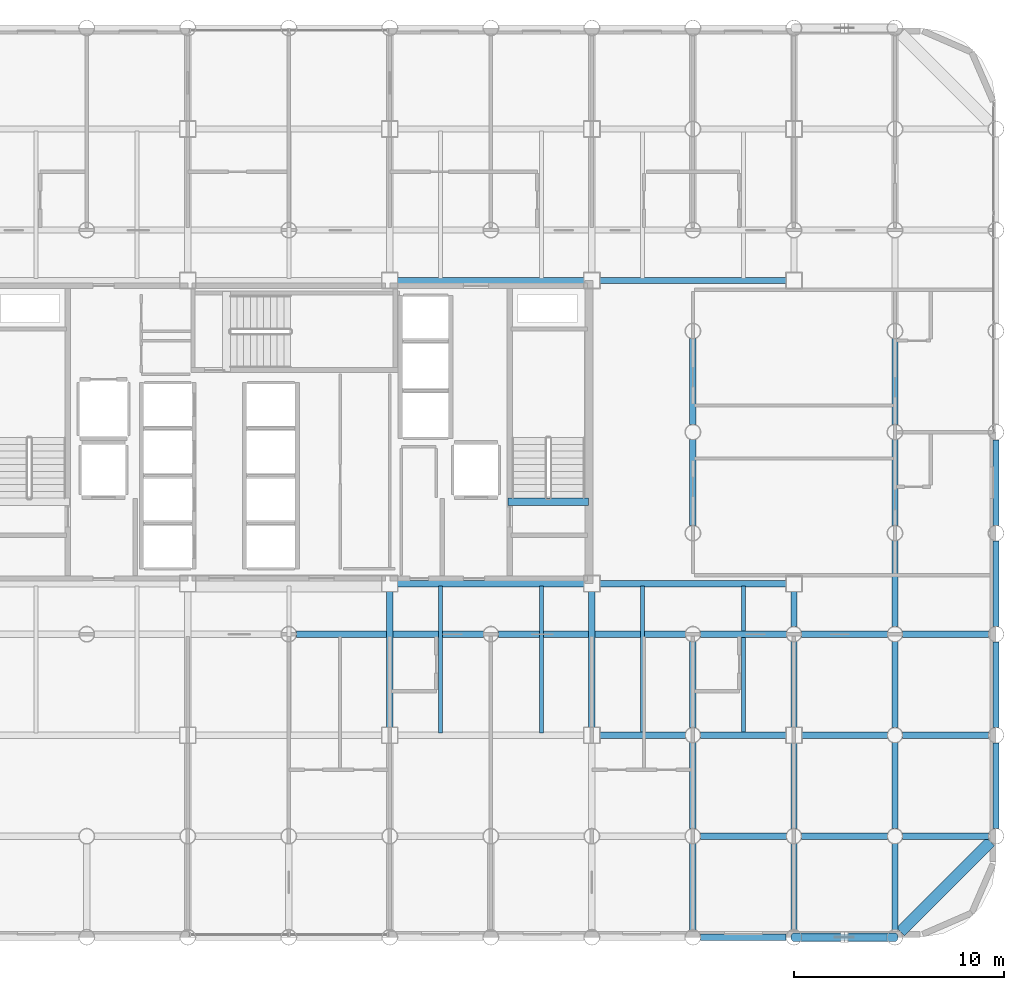
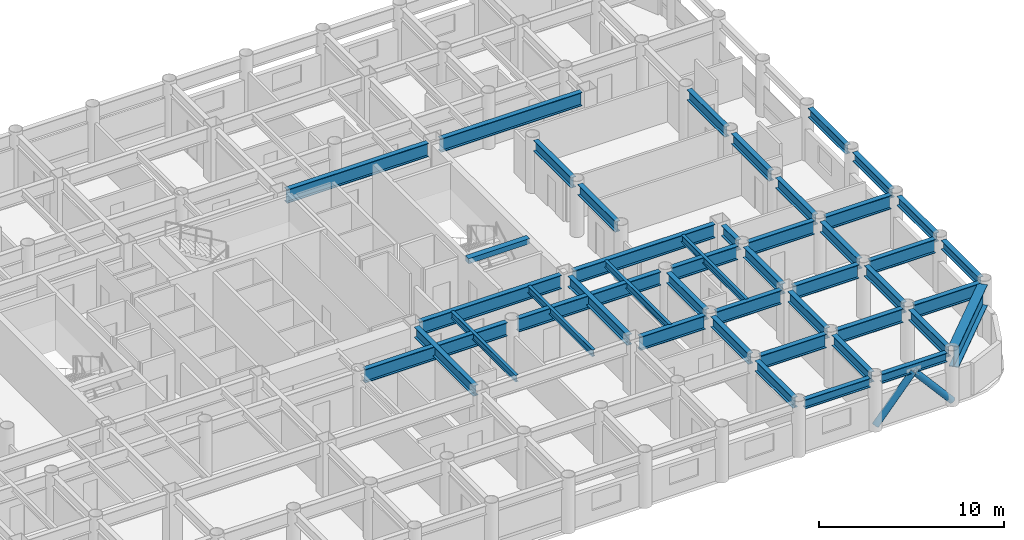
# One storey, part 7 of 20: 45 beams, 2 members.
"""IFC4 building model written with IfcOpenShell, lengths in metres."""

from ifc_helpers import new_model, si_unit, direction, frame, origin, origin_2d, place, context, subcontext, project, spatial, rectangle, hollow_circle, i_section, extrude, material, material_profile, profile_set, type_object, element, save


model = new_model("IFC4")

# Units and contexts
model_context = context("Model", 3, precision=1e-05, world=origin(), true_north=direction((0.0, 1.0)))
body_context = subcontext(model_context, "Body", "Model", "MODEL_VIEW")
ifc_project = project(units=[si_unit("LENGTHUNIT", "METRE"), si_unit("AREAUNIT", "SQUARE_METRE"), si_unit("VOLUMEUNIT", "CUBIC_METRE"), si_unit("PLANEANGLEUNIT", "RADIAN"), si_unit("MASSUNIT", "GRAM", prefix="KILO")], contexts=[model_context])

# Site, building, storey
site_placement = place(None, origin())
site = spatial("IfcSite", under=ifc_project, at=site_placement, CompositionType="ELEMENT")
building_placement = place(site_placement, origin())
building = spatial("IfcBuilding", under=site, at=building_placement, Name="Kallvorn Hotel Tower", CompositionType="ELEMENT")
storey_placement = place(building_placement, frame((0.0, 0.0, 74.39990234375)))
storey = spatial("IfcBuildingStorey", under=building, at=storey_placement, Name="L17", CompositionType="ELEMENT", Elevation=74.39990234375)

# Beams
ifc_material_1 = material(Name="Structural steel S355JR", Category="steel")
ifc_material_profile_1 = material_profile(ifc_material_1, i_section(OverallWidth=0.300048828125, OverallDepth=0.60009765625, WebThickness=0.015380859375, FlangeThickness=0.030029296875, at=origin_2d()), Name="HE 600 B")
ifc_profile_set_1 = profile_set([ifc_material_profile_1], Name="Structural steel S355JR")
beam_type_1 = type_object("IfcBeamType", Name="BM_HE600B", PredefinedType="SPANDREL", material=ifc_profile_set_1)
for number, where, z_axis, x_axis, name in (
    (1, (19.571044921875, -24.0, 3.22021484375), (1.0, 0.0, 0.0), (0.0, 1.0, 0.0), "L18 Perimeter Spandrel 160"),
    (2, (24.37109375, -24.0, 3.22021484375), (1.0, 0.0, 0.0), (0.0, 1.0, 0.0), "L18 Perimeter Spandrel 161"),
):
    element("IfcBeam", number, at=place(storey_placement, frame(where, z_axis=z_axis, x_axis=x_axis)), inside=storey, type_object=beam_type_1, Name=name, PredefinedType="SPANDREL", context=body_context, shape_type="SweptSolid", body=[
        extrude(i_section(OverallWidth=0.300048828125, OverallDepth=0.60009765625, WebThickness=0.015380859375, FlangeThickness=0.030029296875, at=origin_2d()), origin(), (0.0, 0.0, 1.0), 4.057861328125),
    ])
for number, where, z_axis, x_axis, name in (
    (3, (33.60009765625, -18.8291015625, 3.22021484375), (0.0, 1.0, 0.0), (-1.0, 0.0, 0.0), "L18 Perimeter Spandrel 182"),
    (4, (33.60009765625, -14.029052734375, 3.22021484375), (0.0, 1.0, 0.0), (-1.0, 0.0, 0.0), "L18 Perimeter Spandrel 183"),
    (5, (33.60009765625, -9.22900390625, 3.22021484375), (0.0, 1.0, 0.0), (-1.0, 0.0, 0.0), "L18 Perimeter Spandrel 184"),
):
    element("IfcBeam", number, at=place(storey_placement, frame(where, z_axis=z_axis, x_axis=x_axis)), inside=storey, type_object=beam_type_1, Name=name, PredefinedType="SPANDREL", context=body_context, shape_type="SweptSolid", body=[
        extrude(i_section(OverallWidth=0.300048828125, OverallDepth=0.60009765625, WebThickness=0.015380859375, FlangeThickness=0.030029296875, at=origin_2d()), origin(), (0.0, 0.0, 1.0), 4.05810546875),
    ])
beam_1_placement = place(storey_placement, frame((33.60009765625, -4.428955078125, 3.22021484375), z_axis=(0.0, 1.0, 0.0), x_axis=(-1.0, 0.0, 0.0)))
element("IfcBeam", 6, at=beam_1_placement, inside=storey, type_object=beam_type_1, Name="L18 Perimeter Spandrel 185", PredefinedType="SPANDREL", context=body_context, shape_type="SweptSolid", body=[
    extrude(i_section(OverallWidth=0.300048828125, OverallDepth=0.60009765625, WebThickness=0.015380859375, FlangeThickness=0.030029296875, at=origin_2d()), origin(), (0.0, 0.0, 1.0), 4.057861328125),
])
ifc_material_2 = material(Name="Structural steel S355JR", Category="steel")
ifc_material_profile_2 = material_profile(ifc_material_2, i_section(OverallWidth=0.300048828125, OverallDepth=0.699951171875, WebThickness=0.01708984375, FlangeThickness=0.031982421875, at=origin_2d()), Name="HE 700 B")
ifc_profile_set_2 = profile_set([ifc_material_profile_2], Name="Structural steel S355JR")
beam_type_2 = type_object("IfcBeamType", Name="BM_HE700B", PredefinedType="BEAM", material=ifc_profile_set_2)
for number, where, z_axis, x_axis, name in (
    (7, (4.800048828125, -14.02490234375, 3.170166015625), (0.0, 1.0, 0.0), (-1.0, 0.0, 0.0), "L18 Primary Y-Girder 115"),
    (8, (14.39990234375, -14.02490234375, 3.170166015625), (0.0, 1.0, 0.0), (-1.0, 0.0, 0.0), "L18 Primary Y-Girder 123"),
):
    element("IfcBeam", number, at=place(storey_placement, frame(where, z_axis=z_axis, x_axis=x_axis)), inside=storey, type_object=beam_type_2, Name=name, PredefinedType="BEAM", context=body_context, shape_type="SweptSolid", body=[
        extrude(i_section(OverallWidth=0.300048828125, OverallDepth=0.699951171875, WebThickness=0.01708984375, FlangeThickness=0.031982421875, at=origin_2d()), origin(), (0.0, 0.0, 1.0), 6.449951171875),
    ])
beam_2_placement = place(storey_placement, frame((19.199951171875, -23.64404296875, 3.170166015625), z_axis=(0.0, 1.0, 0.0), x_axis=(-1.0, 0.0, 0.0)))
element("IfcBeam", 9, at=beam_2_placement, inside=storey, type_object=beam_type_2, Name="L18 Primary Y-Girder 126", PredefinedType="BEAM", context=body_context, shape_type="SweptSolid", body=[
    extrude(i_section(OverallWidth=0.300048828125, OverallDepth=0.699951171875, WebThickness=0.01708984375, FlangeThickness=0.031982421875, at=origin_2d()), origin(), (0.0, 0.0, 1.0), 4.088134765625),
])
for number, where, z_axis, x_axis, name in (
    (10, (19.199951171875, -18.843994140625, 3.170166015625), (0.0, 1.0, 0.0), (-1.0, 0.0, 0.0), "L18 Primary Y-Girder 127"),
    (11, (19.199951171875, -14.0439453125, 3.170166015625), (0.0, 1.0, 0.0), (-1.0, 0.0, 0.0), "L18 Primary Y-Girder 128"),
):
    element("IfcBeam", number, at=place(storey_placement, frame(where, z_axis=z_axis, x_axis=x_axis)), inside=storey, type_object=beam_type_2, Name=name, PredefinedType="BEAM", context=body_context, shape_type="SweptSolid", body=[
        extrude(i_section(OverallWidth=0.300048828125, OverallDepth=0.699951171875, WebThickness=0.01708984375, FlangeThickness=0.031982421875, at=origin_2d()), origin(), (0.0, 0.0, 1.0), 4.087890625),
    ])
for number, where, z_axis, x_axis, name in (
    (12, (19.199951171875, -4.444091796875, 3.170166015625), (0.0, 1.0, 0.0), (-1.0, 0.0, 0.0), "L18 Primary Y-Girder 130"),
    (13, (19.199951171875, 0.35595703125, 3.170166015625), (0.0, 1.0, 0.0), (-1.0, 0.0, 0.0), "L18 Primary Y-Girder 131"),
    (14, (24.0, -23.64404296875, 3.170166015625), (0.0, 1.0, 0.0), (-1.0, 0.0, 0.0), "L18 Primary Y-Girder 135"),
):
    element("IfcBeam", number, at=place(storey_placement, frame(where, z_axis=z_axis, x_axis=x_axis)), inside=storey, type_object=beam_type_2, Name=name, PredefinedType="BEAM", context=body_context, shape_type="SweptSolid", body=[
        extrude(i_section(OverallWidth=0.300048828125, OverallDepth=0.699951171875, WebThickness=0.01708984375, FlangeThickness=0.031982421875, at=origin_2d()), origin(), (0.0, 0.0, 1.0), 4.088134765625),
    ])
beam_3_placement = place(storey_placement, frame((24.0, -18.843994140625, 3.170166015625), z_axis=(0.0, 1.0, 0.0), x_axis=(-1.0, 0.0, 0.0)))
element("IfcBeam", 15, at=beam_3_placement, inside=storey, type_object=beam_type_2, Name="L18 Primary Y-Girder 136", PredefinedType="BEAM", context=body_context, shape_type="SweptSolid", body=[
    extrude(i_section(OverallWidth=0.300048828125, OverallDepth=0.699951171875, WebThickness=0.01708984375, FlangeThickness=0.031982421875, at=origin_2d()), origin(), (0.0, 0.0, 1.0), 4.069091796875),
])
beam_4_placement = place(storey_placement, frame((24.0, -14.02490234375, 3.170166015625), z_axis=(0.0, 1.0, 0.0), x_axis=(-1.0, 0.0, 0.0)))
element("IfcBeam", 16, at=beam_4_placement, inside=storey, type_object=beam_type_2, Name="L18 Primary Y-Girder 137", PredefinedType="BEAM", context=body_context, shape_type="SweptSolid", body=[
    extrude(i_section(OverallWidth=0.300048828125, OverallDepth=0.699951171875, WebThickness=0.01708984375, FlangeThickness=0.031982421875, at=origin_2d()), origin(), (0.0, 0.0, 1.0), 4.06884765625),
])
beam_5_placement = place(storey_placement, frame((24.0, -9.243896484375, 3.170166015625), z_axis=(0.0, 1.0, 0.0), x_axis=(-1.0, 0.0, 0.0)))
element("IfcBeam", 17, at=beam_5_placement, inside=storey, type_object=beam_type_2, Name="L18 Primary Y-Girder 138", PredefinedType="BEAM", context=body_context, shape_type="SweptSolid", body=[
    extrude(i_section(OverallWidth=0.300048828125, OverallDepth=0.699951171875, WebThickness=0.01708984375, FlangeThickness=0.031982421875, at=origin_2d()), origin(), (0.0, 0.0, 1.0), 1.6689453125),
])
beam_6_placement = place(storey_placement, frame((28.800048828125, -23.64404296875, 3.170166015625), z_axis=(0.0, 1.0, 0.0), x_axis=(-1.0, 0.0, 0.0)))
element("IfcBeam", 18, at=beam_6_placement, inside=storey, type_object=beam_type_2, Name="L18 Primary Y-Girder 142", PredefinedType="BEAM", context=body_context, shape_type="SweptSolid", body=[
    extrude(i_section(OverallWidth=0.300048828125, OverallDepth=0.699951171875, WebThickness=0.01708984375, FlangeThickness=0.031982421875, at=origin_2d()), origin(), (0.0, 0.0, 1.0), 4.088134765625),
])
for number, where, z_axis, x_axis, name in (
    (19, (28.800048828125, -18.843994140625, 3.170166015625), (0.0, 1.0, 0.0), (-1.0, 0.0, 0.0), "L18 Primary Y-Girder 143"),
    (20, (28.800048828125, -14.0439453125, 3.170166015625), (0.0, 1.0, 0.0), (-1.0, 0.0, 0.0), "L18 Primary Y-Girder 144"),
    (21, (28.800048828125, -9.243896484375, 3.170166015625), (0.0, 1.0, 0.0), (-1.0, 0.0, 0.0), "L18 Primary Y-Girder 145"),
):
    element("IfcBeam", number, at=place(storey_placement, frame(where, z_axis=z_axis, x_axis=x_axis)), inside=storey, type_object=beam_type_2, Name=name, PredefinedType="BEAM", context=body_context, shape_type="SweptSolid", body=[
        extrude(i_section(OverallWidth=0.300048828125, OverallDepth=0.699951171875, WebThickness=0.01708984375, FlangeThickness=0.031982421875, at=origin_2d()), origin(), (0.0, 0.0, 1.0), 4.087890625),
    ])
for number, where, z_axis, x_axis, name in (
    (22, (28.800048828125, -4.444091796875, 3.170166015625), (0.0, 1.0, 0.0), (-1.0, 0.0, 0.0), "L18 Primary Y-Girder 146"),
    (23, (28.800048828125, 0.35595703125, 3.170166015625), (0.0, 1.0, 0.0), (-1.0, 0.0, 0.0), "L18 Primary Y-Girder 147"),
):
    element("IfcBeam", number, at=place(storey_placement, frame(where, z_axis=z_axis, x_axis=x_axis)), inside=storey, type_object=beam_type_2, Name=name, PredefinedType="BEAM", context=body_context, shape_type="SweptSolid", body=[
        extrude(i_section(OverallWidth=0.300048828125, OverallDepth=0.699951171875, WebThickness=0.01708984375, FlangeThickness=0.031982421875, at=origin_2d()), origin(), (0.0, 0.0, 1.0), 4.088134765625),
    ])
ifc_material_3 = material(Name="Structural steel S355JR", Category="steel")
ifc_material_profile_3 = material_profile(ifc_material_3, i_section(OverallWidth=0.300048828125, OverallDepth=0.89990234375, WebThickness=0.0185546875, FlangeThickness=0.034912109375, at=origin_2d()), Name="HE 900 B")
ifc_profile_set_3 = profile_set([ifc_material_profile_3], Name="Structural steel S355JR")
beam_type_3 = type_object("IfcBeamType", Name="BM_HE900B", PredefinedType="BEAM", material=ifc_profile_set_3)
for number, where, z_axis, x_axis, name in (
    (24, (19.555908203125, -19.199951171875, 3.070068359375), (1.0, 0.0, 0.0), (0.0, 1.0, 0.0), "L18 Primary X-Girder 11"),
    (25, (24.35595703125, -19.199951171875, 3.070068359375), (1.0, 0.0, 0.0), (0.0, 1.0, 0.0), "L18 Primary X-Girder 12"),
):
    element("IfcBeam", number, at=place(storey_placement, frame(where, z_axis=z_axis, x_axis=x_axis)), inside=storey, type_object=beam_type_3, Name=name, PredefinedType="BEAM", context=body_context, shape_type="SweptSolid", body=[
        extrude(i_section(OverallWidth=0.300048828125, OverallDepth=0.89990234375, WebThickness=0.0185546875, FlangeThickness=0.034912109375, at=origin_2d()), origin(), (0.0, 0.0, 1.0), 4.088134765625),
    ])
beam_7_placement = place(storey_placement, frame((29.156005859375, -19.199951171875, 3.070068359375), z_axis=(1.0, 0.0, 0.0), x_axis=(0.0, 1.0, 0.0)))
element("IfcBeam", 26, at=beam_7_placement, inside=storey, type_object=beam_type_3, Name="L18 Primary X-Girder 13", PredefinedType="BEAM", context=body_context, shape_type="SweptSolid", body=[
    extrude(i_section(OverallWidth=0.300048828125, OverallDepth=0.89990234375, WebThickness=0.0185546875, FlangeThickness=0.034912109375, at=origin_2d()), origin(), (0.0, 0.0, 1.0), 4.087890625),
])
for number, where, z_axis, x_axis, name in (
    (27, (14.77490234375, -14.39990234375, 3.070068359375), (1.0, 0.0, 0.0), (0.0, 1.0, 0.0), "L18 Primary X-Girder 20"),
    (28, (19.555908203125, -14.39990234375, 3.070068359375), (1.0, 0.0, 0.0), (0.0, 1.0, 0.0), "L18 Primary X-Girder 21"),
    (29, (24.375, -14.39990234375, 3.070068359375), (1.0, 0.0, 0.0), (0.0, 1.0, 0.0), "L18 Primary X-Girder 22"),
):
    element("IfcBeam", number, at=place(storey_placement, frame(where, z_axis=z_axis, x_axis=x_axis)), inside=storey, type_object=beam_type_3, Name=name, PredefinedType="BEAM", context=body_context, shape_type="SweptSolid", body=[
        extrude(i_section(OverallWidth=0.300048828125, OverallDepth=0.89990234375, WebThickness=0.0185546875, FlangeThickness=0.034912109375, at=origin_2d()), origin(), (0.0, 0.0, 1.0), 4.069091796875),
    ])
beam_8_placement = place(storey_placement, frame((29.156005859375, -14.39990234375, 3.070068359375), z_axis=(1.0, 0.0, 0.0), x_axis=(0.0, 1.0, 0.0)))
element("IfcBeam", 30, at=beam_8_placement, inside=storey, type_object=beam_type_3, Name="L18 Primary X-Girder 23", PredefinedType="BEAM", context=body_context, shape_type="SweptSolid", body=[
    extrude(i_section(OverallWidth=0.300048828125, OverallDepth=0.89990234375, WebThickness=0.0185546875, FlangeThickness=0.034912109375, at=origin_2d()), origin(), (0.0, 0.0, 1.0), 4.087890625),
])
for number, where, z_axis, x_axis, name in (
    (31, (0.35595703125, -9.60009765625, 3.070068359375), (1.0, 0.0, 0.0), (0.0, 1.0, 0.0), "L18 Primary X-Girder 28"),
    (32, (9.9560546875, -9.60009765625, 3.070068359375), (1.0, 0.0, 0.0), (0.0, 1.0, 0.0), "L18 Primary X-Girder 29"),
):
    element("IfcBeam", number, at=place(storey_placement, frame(where, z_axis=z_axis, x_axis=x_axis)), inside=storey, type_object=beam_type_3, Name=name, PredefinedType="BEAM", context=body_context, shape_type="SweptSolid", body=[
        extrude(i_section(OverallWidth=0.300048828125, OverallDepth=0.89990234375, WebThickness=0.0185546875, FlangeThickness=0.034912109375, at=origin_2d()), origin(), (0.0, 0.0, 1.0), 8.887939453125),
    ])
for number, where, z_axis, x_axis, name in (
    (33, (19.555908203125, -9.60009765625, 3.070068359375), (1.0, 0.0, 0.0), (0.0, 1.0, 0.0), "L18 Primary X-Girder 30"),
    (34, (24.35595703125, -9.60009765625, 3.070068359375), (1.0, 0.0, 0.0), (0.0, 1.0, 0.0), "L18 Primary X-Girder 31"),
):
    element("IfcBeam", number, at=place(storey_placement, frame(where, z_axis=z_axis, x_axis=x_axis)), inside=storey, type_object=beam_type_3, Name=name, PredefinedType="BEAM", context=body_context, shape_type="SweptSolid", body=[
        extrude(i_section(OverallWidth=0.300048828125, OverallDepth=0.89990234375, WebThickness=0.0185546875, FlangeThickness=0.034912109375, at=origin_2d()), origin(), (0.0, 0.0, 1.0), 4.088134765625),
    ])
beam_9_placement = place(storey_placement, frame((29.156005859375, -9.60009765625, 3.070068359375), z_axis=(1.0, 0.0, 0.0), x_axis=(0.0, 1.0, 0.0)))
element("IfcBeam", 35, at=beam_9_placement, inside=storey, type_object=beam_type_3, Name="L18 Primary X-Girder 32", PredefinedType="BEAM", context=body_context, shape_type="SweptSolid", body=[
    extrude(i_section(OverallWidth=0.300048828125, OverallDepth=0.89990234375, WebThickness=0.0185546875, FlangeThickness=0.034912109375, at=origin_2d()), origin(), (0.0, 0.0, 1.0), 4.087890625),
])
beam_10_placement = place(storey_placement, frame((5.175048828125, -7.199951171875, 3.070068359375), z_axis=(1.0, 0.0, 0.0), x_axis=(0.0, 1.0, 0.0)))
element("IfcBeam", 36, at=beam_10_placement, inside=storey, type_object=beam_type_3, Name="L18 Primary X-Girder 35", PredefinedType="BEAM", context=body_context, shape_type="SweptSolid", body=[
    extrude(i_section(OverallWidth=0.300048828125, OverallDepth=0.89990234375, WebThickness=0.0185546875, FlangeThickness=0.034912109375, at=origin_2d()), origin(), (0.0, 0.0, 1.0), 8.849853515625),
])
beam_11_placement = place(storey_placement, frame((14.77490234375, -7.199951171875, 3.070068359375), z_axis=(1.0, 0.0, 0.0), x_axis=(0.0, 1.0, 0.0)))
element("IfcBeam", 37, at=beam_11_placement, inside=storey, type_object=beam_type_3, Name="L18 Primary X-Girder 36", PredefinedType="BEAM", context=body_context, shape_type="SweptSolid", body=[
    extrude(i_section(OverallWidth=0.300048828125, OverallDepth=0.89990234375, WebThickness=0.0185546875, FlangeThickness=0.034912109375, at=origin_2d()), origin(), (0.0, 0.0, 1.0), 8.85009765625),
])
beam_12_placement = place(storey_placement, frame((5.175048828125, 7.199951171875, 3.070068359375), z_axis=(1.0, 0.0, 0.0), x_axis=(0.0, 1.0, 0.0)))
element("IfcBeam", 38, at=beam_12_placement, inside=storey, type_object=beam_type_3, Name="L18 Primary X-Girder 40", PredefinedType="BEAM", context=body_context, shape_type="SweptSolid", body=[
    extrude(i_section(OverallWidth=0.300048828125, OverallDepth=0.89990234375, WebThickness=0.0185546875, FlangeThickness=0.034912109375, at=origin_2d()), origin(), (0.0, 0.0, 1.0), 8.849853515625),
])
beam_13_placement = place(storey_placement, frame((14.77490234375, 7.199951171875, 3.070068359375), z_axis=(1.0, 0.0, 0.0), x_axis=(0.0, 1.0, 0.0)))
element("IfcBeam", 39, at=beam_13_placement, inside=storey, type_object=beam_type_3, Name="L18 Primary X-Girder 41", PredefinedType="BEAM", context=body_context, shape_type="SweptSolid", body=[
    extrude(i_section(OverallWidth=0.300048828125, OverallDepth=0.89990234375, WebThickness=0.0185546875, FlangeThickness=0.034912109375, at=origin_2d()), origin(), (0.0, 0.0, 1.0), 8.85009765625),
])
ifc_material_4 = material(Name="Structural steel S355JR", Category="steel")
ifc_material_profile_4 = material_profile(ifc_material_4, i_section(OverallWidth=0.18994140625, OverallDepth=0.449951171875, WebThickness=0.009521484375, FlangeThickness=0.0146484375, at=origin_2d()), Name="IPE 450")
ifc_profile_set_4 = profile_set([ifc_material_profile_4], Name="Structural steel S355JR")
beam_type_4 = type_object("IfcBeamType", Name="BM_IPE450", PredefinedType="JOIST", material=ifc_profile_set_4)
for number, where, z_axis, x_axis, name in (
    (40, (7.199951171875, -14.300048828125, 3.295166015625), (0.0, 1.0, 0.0), (-1.0, 0.0, 0.0), "L18 Secondary Composite Joist 202"),
    (41, (12.0, -14.300048828125, 3.295166015625), (0.0, 1.0, 0.0), (-1.0, 0.0, 0.0), "L18 Secondary Composite Joist 204"),
    (42, (16.800048828125, -14.300048828125, 3.295166015625), (0.0, 1.0, 0.0), (-1.0, 0.0, 0.0), "L18 Secondary Composite Joist 206"),
    (43, (21.60009765625, -14.300048828125, 3.295166015625), (0.0, 1.0, 0.0), (-1.0, 0.0, 0.0), "L18 Secondary Composite Joist 208"),
):
    element("IfcBeam", number, at=place(storey_placement, frame(where, z_axis=z_axis, x_axis=x_axis)), inside=storey, type_object=beam_type_4, Name=name, PredefinedType="JOIST", context=body_context, shape_type="SweptSolid", body=[
        extrude(i_section(OverallWidth=0.18994140625, OverallDepth=0.449951171875, WebThickness=0.009521484375, FlangeThickness=0.0146484375, at=origin_2d()), origin(), (0.0, 0.0, 1.0), 7.0),
    ])
ifc_material_5 = material(Name="Structural steel S355JR", Category="steel")
ifc_material_profile_5 = material_profile(ifc_material_5, i_section(OverallWidth=0.550048828125, OverallDepth=1.39990234375, WebThickness=0.02490234375, FlangeThickness=0.044921875, at=origin_2d()), Name="PG 1400x550x25x45")
ifc_profile_set_5 = profile_set([ifc_material_profile_5], Name="Structural steel S355JR")
beam_type_5 = type_object("IfcBeamType", Name="BM_PG_1400", PredefinedType="BEAM", material=ifc_profile_set_5)
beam_14_placement = place(storey_placement, frame((33.337646484375, -19.46240234375, 2.820068359375), z_axis=(-0.707106781187, -0.707106781187, 0.0), x_axis=(0.707106781187, -0.707106781187, 0.0)))
element("IfcBeam", 44, at=beam_14_placement, inside=storey, type_object=beam_type_5, Name="L18 Rounded Corner Tie Beam 190", PredefinedType="BEAM", context=body_context, shape_type="SweptSolid", body=[
    extrude(i_section(OverallWidth=0.550048828125, OverallDepth=1.39990234375, WebThickness=0.02490234375, FlangeThickness=0.044921875, at=origin_2d()), origin(), (0.0, 0.0, 1.0), 6.04638671875),
])
ifc_material_6 = material(Name="Concrete C50/60", Category="concrete")
ifc_material_profile_6 = material_profile(ifc_material_6, rectangle(XDim=0.360107421875, YDim=0.340087890625, at=origin_2d()), Name="RC 360x340")
ifc_profile_set_6 = profile_set([ifc_material_profile_6], Name="Concrete C50/60")
beam_type_6 = type_object("IfcBeamType", Name="BM_RC_400x360", PredefinedType="BEAM", material=ifc_profile_set_6)
beam_15_placement = place(storey_placement, frame((14.239990234375, -3.31005859375, 3.35009765625), z_axis=(-1.0, 0.0, 0.0), x_axis=(0.0, -1.0, 0.0)))
element("IfcBeam", 45, at=beam_15_placement, inside=storey, type_object=beam_type_6, Name="L18 Stair ST2 Arrival Trimmer Beam", PredefinedType="BEAM", context=body_context, shape_type="SweptSolid", body=[
    extrude(rectangle(XDim=0.360107421875, YDim=0.340087890625, at=origin_2d()), origin(), (0.0, 0.0, 1.0), 3.820068359375),
])

# Members
ifc_material_7 = material(Name="Structural steel S355J2H", Category="steel")
ifc_material_profile_7 = material_profile(ifc_material_7, hollow_circle(Radius=0.203125, WallThickness=0.01611328125, at=origin_2d()), Name="CHS 406.4x16")
ifc_profile_set_7 = profile_set([ifc_material_profile_7], Name="Structural steel S355J2H")
member_type = type_object("IfcMemberType", Name="MBR_EXO_CHS406", PredefinedType="BRACE", material=ifc_profile_set_7)
for number, where, z_axis, x_axis, name in (
    (46, (24.01318359375, -24.0, 0.1953125), (0.65346062529, 0.0, 0.756960508346), (0.0, 1.0, 0.0), "L17 Exoskeleton K-Brace S2A"),
    (47, (28.786865234375, -24.0, 0.1953125), (-0.65346062529, 0.0, 0.756960508346), (0.0, -1.0, 0.0), "L17 Exoskeleton K-Brace S2B"),
):
    element("IfcMember", number, at=place(storey_placement, frame(where, z_axis=z_axis, x_axis=x_axis)), inside=storey, type_object=member_type, Name=name, PredefinedType="BRACE", context=body_context, shape_type="SweptSolid", body=[
        extrude(hollow_circle(Radius=0.203125, WallThickness=0.01611328125, at=origin_2d()), origin(), (0.0, 0.0, 1.0), 3.632568359375),
    ])

save(model, "model.ifc")
